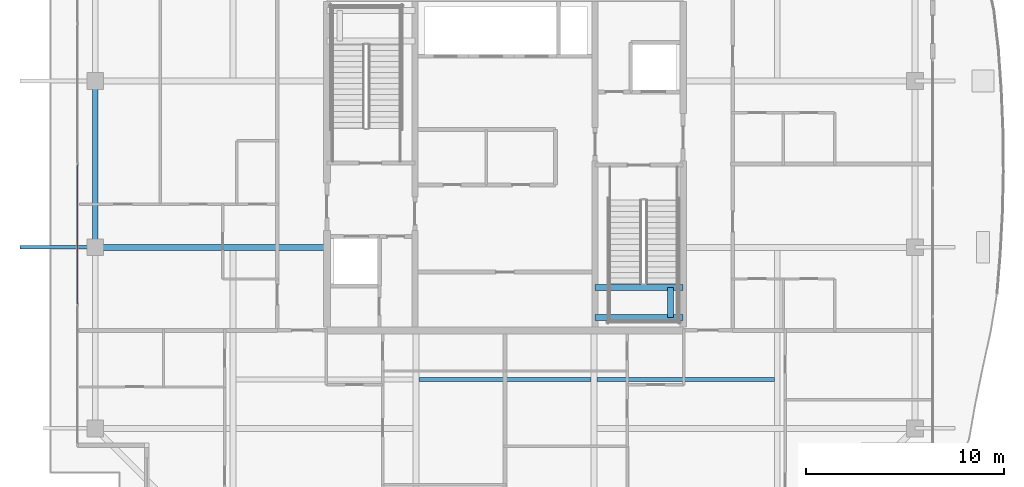
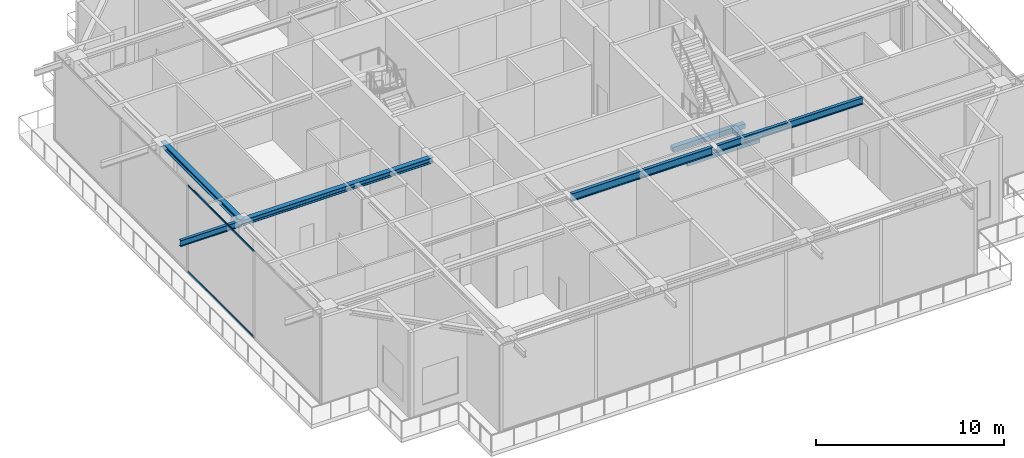
# One storey, part 8 of 40: 8 beams, 2 members, 1 element without a shape of its own.
"""IFC4 building model written with IfcOpenShell, lengths in metres."""

import ifcopenshell
import ifcopenshell.guid

model = None  # the IFC model being written
_history = None  # IfcOwnerHistory: only IFC2X3 demands one
_inside = {}  # id of a spatial element -> (the spatial element, [elements in it])
_under = {}  # id of a project, library or spatial element -> (it, [spatial elements below it])
_declared = {}  # id of a project -> (the project, [libraries it declares])
_typed = {}  # id of a type object -> (the type object, [elements of that type])
_made_of = {}  # id of a material, layer set ... -> (it, [elements and type objects made of it])


def new_model(schema):
    """Start an empty IFC model of exactly this schema.

    Asked for "IFC4X3", IfcOpenShell would pick the latest addendum, in which some entities
    have other attributes; the version numbers below select the first issue.
    IFC2X3 requires an IfcOwnerHistory on every rooted entity: one is made here for all.
    """
    global model, _history
    if schema == "IFC4X3":
        model = ifcopenshell.file(schema_version=(4, 3, 0, 0))
    else:
        model = ifcopenshell.file(schema=schema)
    _inside.clear()
    _under.clear()
    _declared.clear()
    _typed.clear()
    _made_of.clear()
    _history = None
    if model.schema == "IFC2X3":
        org = make("IfcOrganization", Name="unknown")
        user = make(
            "IfcPersonAndOrganization",
            ThePerson=make("IfcPerson", FamilyName="unknown"),
            TheOrganization=org,
        )
        app = make(
            "IfcApplication",
            ApplicationDeveloper=org,
            Version="unknown",
            ApplicationFullName="unknown",
            ApplicationIdentifier="unknown",
        )
        _history = make(
            "IfcOwnerHistory",
            OwningUser=user,
            OwningApplication=app,
            ChangeAction="ADDED",
            CreationDate=0,
        )
    return model


def make(cls, **values):
    """One entity of the class cls with the attributes given. An attribute that is None is left unset."""
    return model.create_entity(
        cls, **{name: value for name, value in values.items() if value is not None}
    )


def rooted(cls, **values):
    """An entity with a GlobalId (a new one), such as an element, a storey or a relation."""
    return make(cls, GlobalId=ifcopenshell.guid.new(), OwnerHistory=_history, **values)


def si_unit(unit_type, name, prefix=None):
    """IfcSIUnit, for example si_unit("LENGTHUNIT", "METRE", prefix="MILLI")."""
    return make("IfcSIUnit", UnitType=unit_type, Prefix=prefix, Name=name)


def assignment(units):
    """IfcUnitAssignment: the units of a project."""
    return None if units is None else make("IfcUnitAssignment", Units=units)


def point(xyz):
    """IfcCartesianPoint."""
    return None if xyz is None else make("IfcCartesianPoint", Coordinates=xyz)


def direction(xyz):
    """IfcDirection."""
    return None if xyz is None else make("IfcDirection", DirectionRatios=xyz)


def frame(location, z_axis=None, x_axis=None):
    """IfcAxis2Placement3D, a coordinate frame: its origin and axes. An axis left out is left unset."""
    return make(
        "IfcAxis2Placement3D",
        Location=point(location),
        Axis=direction(z_axis),
        RefDirection=direction(x_axis),
    )


def frame_2d(location, x_axis=None):
    """IfcAxis2Placement2D, a coordinate frame in the plane: its origin and x axis."""
    return make(
        "IfcAxis2Placement2D", Location=point(location), RefDirection=direction(x_axis)
    )


def origin():
    """The frame at (0, 0, 0) with its axes left unset."""
    return frame((0.0, 0.0, 0.0))


def origin_2d():
    """The frame at (0, 0) in the plane with its x axis left unset."""
    return frame_2d((0.0, 0.0))


def place(relative_to, where):
    """IfcLocalPlacement: puts the frame where relative to a parent placement (None: the world)."""
    return make(
        "IfcLocalPlacement", PlacementRelTo=relative_to, RelativePlacement=where
    )


def context(
    kind, dimensions, precision=None, world=None, true_north=None, identifier=None
):
    """IfcGeometricRepresentationContext, for example the 3D "Model" context."""
    return make(
        "IfcGeometricRepresentationContext",
        ContextIdentifier=identifier,
        ContextType=kind,
        CoordinateSpaceDimension=dimensions,
        Precision=precision,
        WorldCoordinateSystem=world,
        TrueNorth=true_north,
    )


def subcontext(parent, identifier, kind, view, scale=None):
    """IfcGeometricRepresentationSubContext, for example "Body" below "Model"."""
    return make(
        "IfcGeometricRepresentationSubContext",
        ContextIdentifier=identifier,
        ContextType=kind,
        ParentContext=parent,
        TargetScale=scale,
        TargetView=view,
    )


def project(units=None, contexts=None):
    """IfcProject with its units and contexts."""
    return rooted(
        "IfcProject",
        Name="project",
        RepresentationContexts=contexts,
        UnitsInContext=assignment(units),
    )


def spatial(cls, under=None, at=None, **own):
    """A site, building, storey or space (cls), placed at a placement, below another one or the project."""
    s = rooted(cls, ObjectPlacement=at, **own)
    if under is not None:
        _under.setdefault(under.id(), (under, []))[1].append(s)
    return s


def profile(cls, at=None, kind="AREA", **sizes):
    """A parametric profile (cls). Its sizes go by their IFC names, for example OverallWidth=200.0."""
    return make(cls, ProfileType=kind, Position=at, **sizes)


def rectangle(**sizes):
    """IfcRectangleProfileDef."""
    return profile("IfcRectangleProfileDef", **sizes)


def hollow_rectangle(**sizes):
    """IfcRectangleHollowProfileDef."""
    return profile("IfcRectangleHollowProfileDef", **sizes)


def i_section(**sizes):
    """IfcIShapeProfileDef."""
    return profile("IfcIShapeProfileDef", **sizes)


def extrude(swept, where, along, depth):
    """IfcExtrudedAreaSolid: the profile swept, set in the frame where, extruded along a direction by depth."""
    return make(
        "IfcExtrudedAreaSolid",
        SweptArea=swept,
        Position=where,
        ExtrudedDirection=direction(along),
        Depth=depth,
    )


def shape(context_of_items, identifier, shape_type, items):
    """IfcShapeRepresentation: the items that make up one representation, for example the "Body"."""
    return make(
        "IfcShapeRepresentation",
        ContextOfItems=context_of_items,
        RepresentationIdentifier=identifier,
        RepresentationType=shape_type,
        Items=items,
    )


def source(mapping_origin, context_of_items, identifier, shape_type, items):
    """IfcRepresentationMap: a shape defined once, which mapped items show again and again."""
    return make(
        "IfcRepresentationMap",
        MappingOrigin=mapping_origin,
        MappedRepresentation=shape(context_of_items, identifier, shape_type, items),
    )


def transform(
    local_origin,
    x_axis=None,
    y_axis=None,
    z_axis=None,
    scale=None,
    scale2=None,
    scale3=None,
    uniform=True,
):
    """IfcCartesianTransformationOperator3D, or its non-uniform kind. x_axis, y_axis, z_axis: its Axis1, 2, 3."""
    if uniform:
        return make(
            "IfcCartesianTransformationOperator3D",
            Axis1=direction(x_axis),
            Axis2=direction(y_axis),
            LocalOrigin=point(local_origin),
            Scale=scale,
            Axis3=direction(z_axis),
        )
    return make(
        "IfcCartesianTransformationOperator3DnonUniform",
        Axis1=direction(x_axis),
        Axis2=direction(y_axis),
        LocalOrigin=point(local_origin),
        Scale=scale,
        Axis3=direction(z_axis),
        Scale2=scale2,
        Scale3=scale3,
    )


def mapped(mapping_source, mapping_target):
    """IfcMappedItem: shows the shape of a source again, moved by a transform."""
    return make(
        "IfcMappedItem", MappingSource=mapping_source, MappingTarget=mapping_target
    )


def material(Name=None, Category=None):
    """IfcMaterial."""
    return make("IfcMaterial", Name=Name, Category=Category)


def layer(
    of_material, thickness, ventilated=None, Name=None, Category=None, Priority=None
):
    """IfcMaterialLayer: one layer of a wall or slab, of a material (None: an air gap)."""
    return make(
        "IfcMaterialLayer",
        Material=of_material,
        LayerThickness=thickness,
        IsVentilated=ventilated,
        Name=Name,
        Category=Category,
        Priority=Priority,
    )


def layer_set(layers, Name=None):
    """IfcMaterialLayerSet."""
    return make("IfcMaterialLayerSet", MaterialLayers=layers, LayerSetName=Name)


def material_profile(
    of_material, cross_section, Name=None, Category=None, Priority=None
):
    """IfcMaterialProfile: a cross section and its material."""
    return make(
        "IfcMaterialProfile",
        Name=Name,
        Material=of_material,
        Profile=cross_section,
        Priority=Priority,
        Category=Category,
    )


def profile_set(profiles, Name=None, composite=None):
    """IfcMaterialProfileSet."""
    return make(
        "IfcMaterialProfileSet",
        Name=Name,
        MaterialProfiles=profiles,
        CompositeProfile=composite,
    )


def made_of(thing, what):
    """Note that an element or type object is made of a material, layer set ...; save() writes the relation."""
    if what is not None:
        _made_of.setdefault(what.id(), (what, []))[1].append(thing)
    return thing


def type_object(cls, material=None, **own):
    """A type object (cls), such as IfcWallType, which elements share."""
    return made_of(rooted(cls, **own), material)


def element(
    cls,
    number,
    at=None,
    inside=None,
    cuts=None,
    type_object=None,
    material=None,
    context=None,
    identifier="Body",
    shape_type=None,
    held_by="IfcProductDefinitionShape",
    body=None,
    shapes=None,
    **own,
):
    """One element of the class cls, such as IfcWall. Its Tag is "e" and its number.

    at: its placement. inside: the storey or other place that contains it. cuts: it is an
    opening in that element (IfcRelVoidsElement). A single representation is given by context,
    identifier, shape_type and body (its items); several are given by shapes. held_by: the class
    of the entity that holds the representations. save() writes the other relations.
    """
    e = rooted(cls, Tag="e%d" % number, ObjectPlacement=at, **own)
    if body is not None:
        shapes = [shape(context, identifier, shape_type, body)]
    if shapes is not None:
        e.Representation = make(held_by, Representations=shapes)
    if inside is not None:
        _inside.setdefault(inside.id(), (inside, []))[1].append(e)
    if cuts is not None:
        rooted(
            "IfcRelVoidsElement", RelatingBuildingElement=cuts, RelatedOpeningElement=e
        )
    if type_object is not None:
        _typed.setdefault(type_object.id(), (type_object, []))[1].append(e)
    return made_of(e, material)


def aggregate(whole, parts):
    """IfcRelAggregates: a whole, such as a stair, and the parts it consists of."""
    return rooted("IfcRelAggregates", RelatingObject=whole, RelatedObjects=parts)


def save(model, path):
    """Write the relations noted so far, then the file.

    IfcRelAggregates (storeys below a building ...), IfcRelContainedInSpatialStructure (elements
    in a storey), IfcRelDefinesByType, IfcRelAssociatesMaterial and IfcRelDeclares: one each for
    every whole, place, type object, material and project.
    """
    for whole, parts in _under.values():
        aggregate(whole, parts)
    for where, things in _inside.values():
        rooted(
            "IfcRelContainedInSpatialStructure",
            RelatedElements=things,
            RelatingStructure=where,
        )
    for kind, things in _typed.values():
        rooted("IfcRelDefinesByType", RelatedObjects=things, RelatingType=kind)
    for what, things in _made_of.values():
        rooted("IfcRelAssociatesMaterial", RelatedObjects=things, RelatingMaterial=what)
    for by, libraries in _declared.values():
        rooted("IfcRelDeclares", RelatingContext=by, RelatedDefinitions=libraries)
    model.write(path)


model = new_model("IFC4")

# Units and contexts
model_context = context("Model", 3, precision=1e-05, world=origin(), true_north=direction((0.0, 1.0)))
body_context = subcontext(model_context, "Body", "Model", "MODEL_VIEW")
ifc_project = project(units=[si_unit("LENGTHUNIT", "METRE"), si_unit("AREAUNIT", "SQUARE_METRE"), si_unit("VOLUMEUNIT", "CUBIC_METRE"), si_unit("PLANEANGLEUNIT", "RADIAN"), si_unit("MASSUNIT", "GRAM", prefix="KILO")], contexts=[model_context])

# Site, building, storey
site_placement = place(None, origin())
site = spatial("IfcSite", under=ifc_project, at=site_placement, CompositionType="ELEMENT")
building_placement = place(site_placement, origin())
building = spatial("IfcBuilding", under=site, at=building_placement, Name="Serunith Strait Residences", CompositionType="ELEMENT")
storey_placement = place(building_placement, frame((0.0, 0.0, 347.949951171875)))
storey = spatial("IfcBuildingStorey", under=building, at=storey_placement, Name="L86", CompositionType="ELEMENT", Elevation=347.949951171875)

# Beams
ifc_material_1 = material(Name="Steel S355J2", Category="steel")
ifc_material_profile_1 = material_profile(ifc_material_1, i_section(OverallWidth=0.199951171875, OverallDepth=0.5, WebThickness=0.01025390625, FlangeThickness=0.01611328125, FilletRadius=0.02099609375, at=origin_2d()), Name="IPE 500")
ifc_profile_set_1 = profile_set([ifc_material_profile_1], Name="Steel S355J2")
beam_type_1 = type_object("IfcBeamType", Name="BM-IPE500", PredefinedType="JOIST", material=ifc_profile_set_1)
shared_shape_1 = source(origin(), body_context, "Body", "SweptSolid", [
    extrude(i_section(OverallWidth=0.199951171875, OverallDepth=0.5, WebThickness=0.01025390625, FlangeThickness=0.01611328125, FilletRadius=0.02099609375, at=origin_2d()), origin(), (0.0, 0.0, 1.0), 8.699951171875),
])
beam_1_placement = place(storey_placement, frame((28.050048828125, 14.324951171875, 5.386962890625), z_axis=(1.0, 0.0, 0.0), x_axis=(0.0, 1.0, 0.0)))
element("IfcBeam", 1, at=beam_1_placement, inside=storey, type_object=beam_type_1, Name="L86 Composite Floor Joist 02", PredefinedType="JOIST", context=body_context, shape_type="MappedRepresentation", body=[
    mapped(shared_shape_1, transform((0.0, 0.0, 0.0), scale=1.0)),
])
ifc_material_profile_2 = material_profile(ifc_material_1, i_section(OverallWidth=0.300048828125, OverallDepth=0.360107421875, WebThickness=0.012451171875, FlangeThickness=0.0224609375, FilletRadius=0.027099609375, at=origin_2d()), Name="HEB 360")
ifc_profile_set_2 = profile_set([ifc_material_profile_2], Name="Steel S355J2")
beam_type_2 = type_object("IfcBeamType", Name="BM-HEB360", PredefinedType="BEAM", material=ifc_profile_set_2)
shared_shape_2 = source(origin(), body_context, "Body", "SweptSolid", [
    extrude(i_section(OverallWidth=0.300048828125, OverallDepth=0.360107421875, WebThickness=0.012451171875, FlangeThickness=0.0224609375, FilletRadius=0.027099609375, at=origin_2d()), origin(), (0.0, 0.0, 1.0), 11.699951171875),
])
beam_2_placement = place(storey_placement, frame((23.39990234375, 21.0, 5.45703125), z_axis=(-1.0, 0.0, 0.0), x_axis=(0.0, -1.0, 0.0)))
element("IfcBeam", 2, at=beam_2_placement, inside=storey, type_object=beam_type_2, Name="L86 Primary Floor Girder TC-W2", PredefinedType="BEAM", context=body_context, shape_type="MappedRepresentation", body=[
    mapped(shared_shape_2, transform((0.0, 0.0, 0.0), scale=1.0)),
])
ifc_material_profile_3 = material_profile(ifc_material_1, i_section(OverallWidth=0.300048828125, OverallDepth=0.320068359375, WebThickness=0.011474609375, FlangeThickness=0.0205078125, FilletRadius=0.027099609375, at=origin_2d()), Name="HEB 320")
ifc_profile_set_3 = profile_set([ifc_material_profile_3], Name="Steel S355J2")
beam_type_3 = type_object("IfcBeamType", Name="BM-HEB320", PredefinedType="BEAM", material=ifc_profile_set_3)
shared_shape_3 = source(origin(), body_context, "Body", "SweptSolid", [
    extrude(i_section(OverallWidth=0.300048828125, OverallDepth=0.320068359375, WebThickness=0.011474609375, FlangeThickness=0.0205078125, FilletRadius=0.027099609375, at=origin_2d()), origin(), (0.0, 0.0, 1.0), 8.39990234375),
])
beam_3_placement = place(storey_placement, frame((11.699951171875, 29.39990234375, 5.47705078125), z_axis=(0.0, -1.0, 0.0), x_axis=(1.0, 0.0, 0.0)))
element("IfcBeam", 3, at=beam_3_placement, inside=storey, type_object=beam_type_3, Name="L86 Perimeter Ring Beam 14", PredefinedType="BEAM", context=body_context, shape_type="MappedRepresentation", body=[
    mapped(shared_shape_3, transform((0.0, 0.0, 0.0), scale=1.0)),
])
ifc_material_profile_4 = material_profile(ifc_material_1, i_section(OverallWidth=0.18994140625, OverallDepth=0.449951171875, WebThickness=0.009521484375, FlangeThickness=0.0146484375, FilletRadius=0.02099609375, at=origin_2d()), Name="IPE 450")
ifc_profile_set_4 = profile_set([ifc_material_profile_4], Name="Steel S355J2")
beam_type_4 = type_object("IfcBeamType", Name="BM-IPE450", PredefinedType="JOIST", material=ifc_profile_set_4)
shared_shape_4 = source(origin(), body_context, "Body", "SweptSolid", [
    extrude(i_section(OverallWidth=0.18994140625, OverallDepth=0.449951171875, WebThickness=0.009521484375, FlangeThickness=0.0146484375, FilletRadius=0.02099609375, at=origin_2d()), origin(), (0.0, 0.0, 1.0), 8.949951171875),
])
beam_4_placement = place(storey_placement, frame((37.050048828125, 14.324951171875, 5.412109375), z_axis=(1.0, 0.0, 0.0), x_axis=(0.0, 1.0, 0.0)))
element("IfcBeam", 4, at=beam_4_placement, inside=storey, type_object=beam_type_4, Name="L86 Composite Floor Joist 03", PredefinedType="JOIST", context=body_context, shape_type="MappedRepresentation", body=[
    mapped(shared_shape_4, transform((0.0, 0.0, 0.0), scale=1.0)),
])
ifc_material_profile_5 = material_profile(ifc_material_1, i_section(OverallWidth=0.179931640625, OverallDepth=0.39990234375, WebThickness=0.008544921875, FlangeThickness=0.013427734375, FilletRadius=0.02099609375, at=origin_2d()), Name="IPE 400")
ifc_profile_set_5 = profile_set([ifc_material_profile_5], Name="Steel S355J2")
beam_type_5 = type_object("IfcBeamType", Name="BM-IPE400", PredefinedType="JOIST", material=ifc_profile_set_5)
shared_shape_5 = source(origin(), body_context, "Body", "SweptSolid", [
    extrude(i_section(OverallWidth=0.179931640625, OverallDepth=0.39990234375, WebThickness=0.008544921875, FlangeThickness=0.013427734375, FilletRadius=0.02099609375, at=origin_2d()), origin(), (0.0, 0.0, 1.0), 3.800048828125),
])
beam_5_placement = place(storey_placement, frame((11.699951171875, 21.0, 5.406982421875), z_axis=(-1.0, 0.0, 0.0), x_axis=(0.0, -1.0, 0.0)))
element("IfcBeam", 5, at=beam_5_placement, inside=storey, type_object=beam_type_5, Name="L87 Cantilevered Balcony Rib TC-W2", PredefinedType="JOIST", context=body_context, shape_type="MappedRepresentation", body=[
    mapped(shared_shape_5, transform((0.0, 0.0, 0.0), scale=1.0)),
])
ifc_material_2 = material(Name="Concrete C60/75", Category="concrete")
ifc_material_profile_6 = material_profile(ifc_material_2, rectangle(XDim=0.300048828125, YDim=0.300048828125, at=origin_2d()), Name="RC 300x300")
ifc_profile_set_6 = profile_set([ifc_material_profile_6], Name="Concrete C60/75")
beam_type_6 = type_object("IfcBeamType", Name="BM-LAND-300x300", PredefinedType="BEAM", material=ifc_profile_set_6)
shared_shape_6 = source(origin(), body_context, "Body", "SweptSolid", [
    extrude(rectangle(XDim=0.300048828125, YDim=0.300048828125, at=origin_2d()), origin(), (0.0, 0.0, 1.0), 1.52001953125),
])
beam_6_placement = place(storey_placement, frame((40.75, 17.449951171875, 2.60009765625), z_axis=(0.0, 1.0, 0.0), x_axis=(-1.0, 0.0, 0.0)))
element("IfcBeam", 6, at=beam_6_placement, inside=storey, type_object=beam_type_6, Name="L86 ST-2 Landing Transverse Tie Beam", PredefinedType="BEAM", context=body_context, shape_type="MappedRepresentation", body=[
    mapped(shared_shape_6, transform((0.0, 0.0, 0.0), scale=1.0)),
])
shared_shape_7 = source(origin(), body_context, "Body", "SweptSolid", [
    extrude(rectangle(XDim=0.300048828125, YDim=0.300048828125, at=origin_2d()), origin(), (0.0, 0.0, 1.0), 4.449951171875),
])
for number, where, z_axis, x_axis, name in (
    (7, (36.949951171875, 17.449951171875, 2.60009765625), (1.0, 0.0, 0.0), (0.0, 1.0, 0.0), "L86 ST-2 Landing Support Beam 1"),
    (8, (36.949951171875, 18.969970703125, 2.60009765625), (1.0, 0.0, 0.0), (0.0, 1.0, 0.0), "L86 ST-2 Landing Support Beam 2"),
):
    element("IfcBeam", number, at=place(storey_placement, frame(where, z_axis=z_axis, x_axis=x_axis)), inside=storey, type_object=beam_type_6, Name=name, PredefinedType="BEAM", context=body_context, shape_type="MappedRepresentation", body=[
        mapped(shared_shape_7, transform((0.0, 0.0, 0.0), scale=1.0)),
    ])

# Curtain wall, members
ifc_material_3 = material(Name="Brushed Stainless-Silver Aluminium", Category="aluminium")
ifc_layer = layer(ifc_material_3, 0.199951171875, Name="Brushed Stainless-Silver Aluminium")
ifc_layer_set = layer_set([ifc_layer], Name="Brushed Stainless-Silver Aluminium")
curtain_wall_type = type_object("IfcCurtainWallType", Name="CW-SYS5", PredefinedType="NOTDEFINED", material=ifc_layer_set)
curtain_wall_placement = place(storey_placement, origin())
curtain_wall = element("IfcCurtainWall", 9, at=curtain_wall_placement, inside=storey, type_object=curtain_wall_type, Name="L86 W Unitised Fritted Curtain Wall", PredefinedType="NOTDEFINED")
ifc_material_profile_7 = material_profile(ifc_material_3, hollow_rectangle(XDim=0.06005859375, YDim=0.1201171875, WallThickness=0.00341796875, InnerFilletRadius=0.00537109375, OuterFilletRadius=0.0087890625, at=origin_2d()), Name="ALU 120x60x3.5")
ifc_profile_set_7 = profile_set([ifc_material_profile_7], Name="Brushed Stainless-Silver Aluminium")
member_type = type_object("IfcMemberType", Name="CW-SYS5-TRAN", PredefinedType="USERDEFINED", material=ifc_profile_set_7)
shared_shape_8 = source(origin(), body_context, "Body", "SweptSolid", [
    extrude(hollow_rectangle(XDim=0.06005859375, YDim=0.1201171875, WallThickness=0.00341796875, InnerFilletRadius=0.00537109375, OuterFilletRadius=0.0087890625, at=origin_2d()), origin(), (0.0, 0.0, 1.0), 7.034912109375),
])
member_1_placement = place(storey_placement, frame((10.800048828125, 25.16748046875, 0.030029296875), z_axis=(0.0, -1.0, 0.0), x_axis=(1.0, 0.0, 0.0)))
member_1 = element("IfcMember", 10, at=member_1_placement, type_object=member_type, Name="CW-5 transom 3.1", ObjectType="TRANSOM", PredefinedType="USERDEFINED", context=body_context, shape_type="MappedRepresentation", body=[
    mapped(shared_shape_8, transform((0.0, 0.0, 0.0), scale=1.0)),
])
member_2_placement = place(storey_placement, frame((10.800048828125, 25.16748046875, 5.594970703125), z_axis=(0.0, -1.0, 0.0), x_axis=(1.0, 0.0, 0.0)))
member_2 = element("IfcMember", 11, at=member_2_placement, type_object=member_type, Name="CW-5 transom 3.2", ObjectType="TRANSOM", PredefinedType="USERDEFINED", context=body_context, shape_type="MappedRepresentation", body=[
    mapped(shared_shape_8, transform((0.0, 0.0, 0.0), scale=1.0)),
])
aggregate(curtain_wall, [member_1, member_2])

save(model, "model.ifc")
